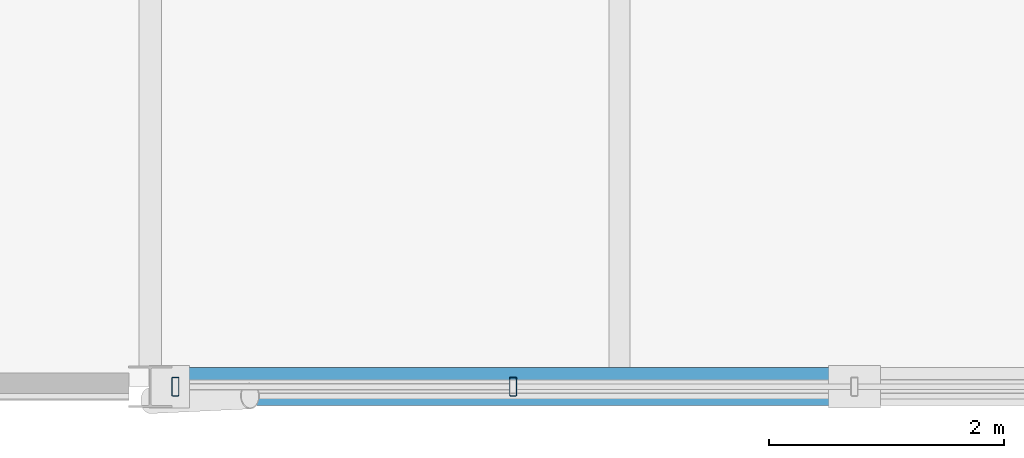
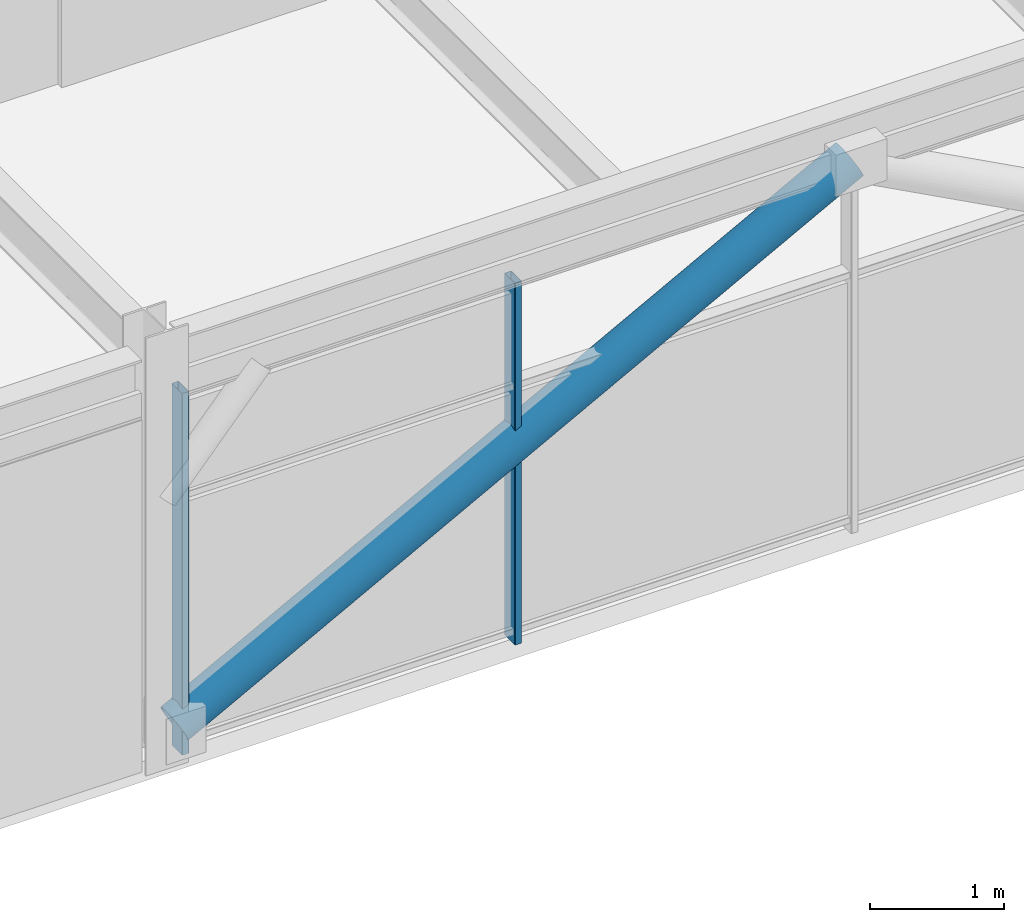
# One storey, part 5 of 40: 3 members, 1 element without a shape of its own.
"""IFC4 building model written with IfcOpenShell, lengths in metres."""

import ifcopenshell
import ifcopenshell.guid

model = None  # the IFC model being written
_history = None  # IfcOwnerHistory: only IFC2X3 demands one
_inside = {}  # id of a spatial element -> (the spatial element, [elements in it])
_under = {}  # id of a project, library or spatial element -> (it, [spatial elements below it])
_declared = {}  # id of a project -> (the project, [libraries it declares])
_typed = {}  # id of a type object -> (the type object, [elements of that type])
_made_of = {}  # id of a material, layer set ... -> (it, [elements and type objects made of it])


def new_model(schema):
    """Start an empty IFC model of exactly this schema.

    Asked for "IFC4X3", IfcOpenShell would pick the latest addendum, in which some entities
    have other attributes; the version numbers below select the first issue.
    IFC2X3 requires an IfcOwnerHistory on every rooted entity: one is made here for all.
    """
    global model, _history
    if schema == "IFC4X3":
        model = ifcopenshell.file(schema_version=(4, 3, 0, 0))
    else:
        model = ifcopenshell.file(schema=schema)
    _inside.clear()
    _under.clear()
    _declared.clear()
    _typed.clear()
    _made_of.clear()
    _history = None
    if model.schema == "IFC2X3":
        org = make("IfcOrganization", Name="unknown")
        user = make(
            "IfcPersonAndOrganization",
            ThePerson=make("IfcPerson", FamilyName="unknown"),
            TheOrganization=org,
        )
        app = make(
            "IfcApplication",
            ApplicationDeveloper=org,
            Version="unknown",
            ApplicationFullName="unknown",
            ApplicationIdentifier="unknown",
        )
        _history = make(
            "IfcOwnerHistory",
            OwningUser=user,
            OwningApplication=app,
            ChangeAction="ADDED",
            CreationDate=0,
        )
    return model


def make(cls, **values):
    """One entity of the class cls with the attributes given. An attribute that is None is left unset."""
    return model.create_entity(
        cls, **{name: value for name, value in values.items() if value is not None}
    )


def rooted(cls, **values):
    """An entity with a GlobalId (a new one), such as an element, a storey or a relation."""
    return make(cls, GlobalId=ifcopenshell.guid.new(), OwnerHistory=_history, **values)


def si_unit(unit_type, name, prefix=None):
    """IfcSIUnit, for example si_unit("LENGTHUNIT", "METRE", prefix="MILLI")."""
    return make("IfcSIUnit", UnitType=unit_type, Prefix=prefix, Name=name)


def assignment(units):
    """IfcUnitAssignment: the units of a project."""
    return None if units is None else make("IfcUnitAssignment", Units=units)


def point(xyz):
    """IfcCartesianPoint."""
    return None if xyz is None else make("IfcCartesianPoint", Coordinates=xyz)


def direction(xyz):
    """IfcDirection."""
    return None if xyz is None else make("IfcDirection", DirectionRatios=xyz)


def frame(location, z_axis=None, x_axis=None):
    """IfcAxis2Placement3D, a coordinate frame: its origin and axes. An axis left out is left unset."""
    return make(
        "IfcAxis2Placement3D",
        Location=point(location),
        Axis=direction(z_axis),
        RefDirection=direction(x_axis),
    )


def frame_2d(location, x_axis=None):
    """IfcAxis2Placement2D, a coordinate frame in the plane: its origin and x axis."""
    return make(
        "IfcAxis2Placement2D", Location=point(location), RefDirection=direction(x_axis)
    )


def origin():
    """The frame at (0, 0, 0) with its axes left unset."""
    return frame((0.0, 0.0, 0.0))


def origin_2d():
    """The frame at (0, 0) in the plane with its x axis left unset."""
    return frame_2d((0.0, 0.0))


def place(relative_to, where):
    """IfcLocalPlacement: puts the frame where relative to a parent placement (None: the world)."""
    return make(
        "IfcLocalPlacement", PlacementRelTo=relative_to, RelativePlacement=where
    )


def context(
    kind, dimensions, precision=None, world=None, true_north=None, identifier=None
):
    """IfcGeometricRepresentationContext, for example the 3D "Model" context."""
    return make(
        "IfcGeometricRepresentationContext",
        ContextIdentifier=identifier,
        ContextType=kind,
        CoordinateSpaceDimension=dimensions,
        Precision=precision,
        WorldCoordinateSystem=world,
        TrueNorth=true_north,
    )


def subcontext(parent, identifier, kind, view, scale=None):
    """IfcGeometricRepresentationSubContext, for example "Body" below "Model"."""
    return make(
        "IfcGeometricRepresentationSubContext",
        ContextIdentifier=identifier,
        ContextType=kind,
        ParentContext=parent,
        TargetScale=scale,
        TargetView=view,
    )


def project(units=None, contexts=None):
    """IfcProject with its units and contexts."""
    return rooted(
        "IfcProject",
        Name="project",
        RepresentationContexts=contexts,
        UnitsInContext=assignment(units),
    )


def spatial(cls, under=None, at=None, **own):
    """A site, building, storey or space (cls), placed at a placement, below another one or the project."""
    s = rooted(cls, ObjectPlacement=at, **own)
    if under is not None:
        _under.setdefault(under.id(), (under, []))[1].append(s)
    return s


def profile(cls, at=None, kind="AREA", **sizes):
    """A parametric profile (cls). Its sizes go by their IFC names, for example OverallWidth=200.0."""
    return make(cls, ProfileType=kind, Position=at, **sizes)


def hollow_rectangle(**sizes):
    """IfcRectangleHollowProfileDef."""
    return profile("IfcRectangleHollowProfileDef", **sizes)


def hollow_circle(**sizes):
    """IfcCircleHollowProfileDef."""
    return profile("IfcCircleHollowProfileDef", **sizes)


def extrude(swept, where, along, depth):
    """IfcExtrudedAreaSolid: the profile swept, set in the frame where, extruded along a direction by depth."""
    return make(
        "IfcExtrudedAreaSolid",
        SweptArea=swept,
        Position=where,
        ExtrudedDirection=direction(along),
        Depth=depth,
    )


def shape(context_of_items, identifier, shape_type, items):
    """IfcShapeRepresentation: the items that make up one representation, for example the "Body"."""
    return make(
        "IfcShapeRepresentation",
        ContextOfItems=context_of_items,
        RepresentationIdentifier=identifier,
        RepresentationType=shape_type,
        Items=items,
    )


def material(Name=None, Category=None):
    """IfcMaterial."""
    return make("IfcMaterial", Name=Name, Category=Category)


def material_profile(
    of_material, cross_section, Name=None, Category=None, Priority=None
):
    """IfcMaterialProfile: a cross section and its material."""
    return make(
        "IfcMaterialProfile",
        Name=Name,
        Material=of_material,
        Profile=cross_section,
        Priority=Priority,
        Category=Category,
    )


def profile_set(profiles, Name=None, composite=None):
    """IfcMaterialProfileSet."""
    return make(
        "IfcMaterialProfileSet",
        Name=Name,
        MaterialProfiles=profiles,
        CompositeProfile=composite,
    )


def made_of(thing, what):
    """Note that an element or type object is made of a material, layer set ...; save() writes the relation."""
    if what is not None:
        _made_of.setdefault(what.id(), (what, []))[1].append(thing)
    return thing


def type_object(cls, material=None, **own):
    """A type object (cls), such as IfcWallType, which elements share."""
    return made_of(rooted(cls, **own), material)


def element(
    cls,
    number,
    at=None,
    inside=None,
    cuts=None,
    type_object=None,
    material=None,
    context=None,
    identifier="Body",
    shape_type=None,
    held_by="IfcProductDefinitionShape",
    body=None,
    shapes=None,
    **own,
):
    """One element of the class cls, such as IfcWall. Its Tag is "e" and its number.

    at: its placement. inside: the storey or other place that contains it. cuts: it is an
    opening in that element (IfcRelVoidsElement). A single representation is given by context,
    identifier, shape_type and body (its items); several are given by shapes. held_by: the class
    of the entity that holds the representations. save() writes the other relations.
    """
    e = rooted(cls, Tag="e%d" % number, ObjectPlacement=at, **own)
    if body is not None:
        shapes = [shape(context, identifier, shape_type, body)]
    if shapes is not None:
        e.Representation = make(held_by, Representations=shapes)
    if inside is not None:
        _inside.setdefault(inside.id(), (inside, []))[1].append(e)
    if cuts is not None:
        rooted(
            "IfcRelVoidsElement", RelatingBuildingElement=cuts, RelatedOpeningElement=e
        )
    if type_object is not None:
        _typed.setdefault(type_object.id(), (type_object, []))[1].append(e)
    return made_of(e, material)


def aggregate(whole, parts):
    """IfcRelAggregates: a whole, such as a stair, and the parts it consists of."""
    return rooted("IfcRelAggregates", RelatingObject=whole, RelatedObjects=parts)


def save(model, path):
    """Write the relations noted so far, then the file.

    IfcRelAggregates (storeys below a building ...), IfcRelContainedInSpatialStructure (elements
    in a storey), IfcRelDefinesByType, IfcRelAssociatesMaterial and IfcRelDeclares: one each for
    every whole, place, type object, material and project.
    """
    for whole, parts in _under.values():
        aggregate(whole, parts)
    for where, things in _inside.values():
        rooted(
            "IfcRelContainedInSpatialStructure",
            RelatedElements=things,
            RelatingStructure=where,
        )
    for kind, things in _typed.values():
        rooted("IfcRelDefinesByType", RelatedObjects=things, RelatingType=kind)
    for what, things in _made_of.values():
        rooted("IfcRelAssociatesMaterial", RelatedObjects=things, RelatingMaterial=what)
    for by, libraries in _declared.values():
        rooted("IfcRelDeclares", RelatingContext=by, RelatedDefinitions=libraries)
    model.write(path)


model = new_model("IFC4")

# Units and contexts
model_context = context("Model", 3, precision=1e-05, world=origin(), true_north=direction((0.0, 1.0)))
body_context = subcontext(model_context, "Body", "Model", "MODEL_VIEW")
ifc_project = project(units=[si_unit("LENGTHUNIT", "METRE"), si_unit("AREAUNIT", "SQUARE_METRE"), si_unit("VOLUMEUNIT", "CUBIC_METRE"), si_unit("PLANEANGLEUNIT", "RADIAN"), si_unit("MASSUNIT", "GRAM", prefix="KILO")], contexts=[model_context])

# Site, building, storey
site_placement = place(None, origin())
site = spatial("IfcSite", under=ifc_project, at=site_placement, CompositionType="ELEMENT")
building_placement = place(site_placement, origin())
building = spatial("IfcBuilding", under=site, at=building_placement, Name="Girod Span Mobility Hub", CompositionType="ELEMENT")
storey_placement = place(building_placement, frame((0.0, 0.0, 57.60009765625)))
storey = spatial("IfcBuildingStorey", under=building, at=storey_placement, Name="L14", CompositionType="ELEMENT", Elevation=57.60009765625)

# Curtain wall, members
ifc_material_1 = material(Name="Thermally Broken Anodised Aluminium", Category="aluminium")
curtain_wall_type = type_object("IfcCurtainWallType", Name="CW-1164X331", PredefinedType="USERDEFINED", material=ifc_material_1)
curtain_wall_placement = place(storey_placement, origin())
curtain_wall = element("IfcCurtainWall", 1, at=curtain_wall_placement, inside=storey, type_object=curtain_wall_type, Name="Unitised Curtain Wall CW-L14-S05 L14", ObjectType="UNITISED CURTAIN WALL", PredefinedType="USERDEFINED")
ifc_material_2 = material(Name="Thermally Broken Anodised Aluminium", Category="aluminium")
ifc_material_profile_1 = material_profile(ifc_material_2, hollow_rectangle(XDim=0.159912109375, YDim=0.06005859375, WallThickness=0.00341796875, InnerFilletRadius=0.00341796875, OuterFilletRadius=0.007080078125, at=origin_2d()), Name="CW-ML-60X160")
ifc_profile_set_1 = profile_set([ifc_material_profile_1], Name="Thermally Broken Anodised Aluminium")
member_type_1 = type_object("IfcMemberType", Name="CWM-ML-3", PredefinedType="MULLION", material=ifc_profile_set_1)
member_1_placement = place(storey_placement, frame((48.214599609375, 45.0, 0.0), z_axis=(0.0, 0.0, 1.0), x_axis=(0.0, 1.0, 0.0)))
member_1 = element("IfcMember", 2, at=member_1_placement, type_object=member_type_1, Name="Curtain Wall Mullion CW-L14-S05-M0", PredefinedType="MULLION", context=body_context, shape_type="SweptSolid", body=[
    extrude(hollow_rectangle(XDim=0.159912109375, YDim=0.06005859375, WallThickness=0.00341796875, InnerFilletRadius=0.00341796875, OuterFilletRadius=0.007080078125, at=origin_2d()), origin(), (0.0, 0.0, 1.0), 3.305908203125),
])
member_2_placement = place(storey_placement, frame((51.09130859375, 45.0, 0.0), z_axis=(0.0, 0.0, 1.0), x_axis=(0.0, 1.0, 0.0)))
member_2 = element("IfcMember", 3, at=member_2_placement, type_object=member_type_1, Name="Curtain Wall Mullion CW-L14-S05-M1", PredefinedType="MULLION", context=body_context, shape_type="SweptSolid", body=[
    extrude(hollow_rectangle(XDim=0.159912109375, YDim=0.06005859375, WallThickness=0.00341796875, InnerFilletRadius=0.00341796875, OuterFilletRadius=0.007080078125, at=origin_2d()), origin(), (0.0, 0.0, 1.0), 3.305908203125),
])
aggregate(curtain_wall, [member_1, member_2])

# Member
ifc_material_3 = material(Name="Steel HSS A500 Grade C", Category="steel")
ifc_material_profile_2 = material_profile(ifc_material_3, hollow_circle(Radius=0.162109375, WallThickness=0.01171875, at=origin_2d()), Name="HSS324X12.7")
ifc_profile_set_2 = profile_set([ifc_material_profile_2], Name="Steel HSS A500 Grade C")
member_type_2 = type_object("IfcMemberType", Name="MB-BR-HSS324", PredefinedType="BRACE", material=ifc_profile_set_2)
member_3_placement = place(storey_placement, frame((48.16455078125, 45.0, 0.25), z_axis=(0.882118883512, 0.0, 0.47102683082), x_axis=(0.0, 1.0, 0.0)))
element("IfcMember", 4, at=member_3_placement, inside=storey, type_object=member_type_2, Name="Upper Diagrid Brace 5/D-L L14", PredefinedType="BRACE", context=body_context, shape_type="SweptSolid", body=[
    extrude(hollow_circle(Radius=0.162109375, WallThickness=0.01171875, at=origin_2d()), origin(), (0.0, 0.0, 1.0), 6.615234375),
])

save(model, "model.ifc")
